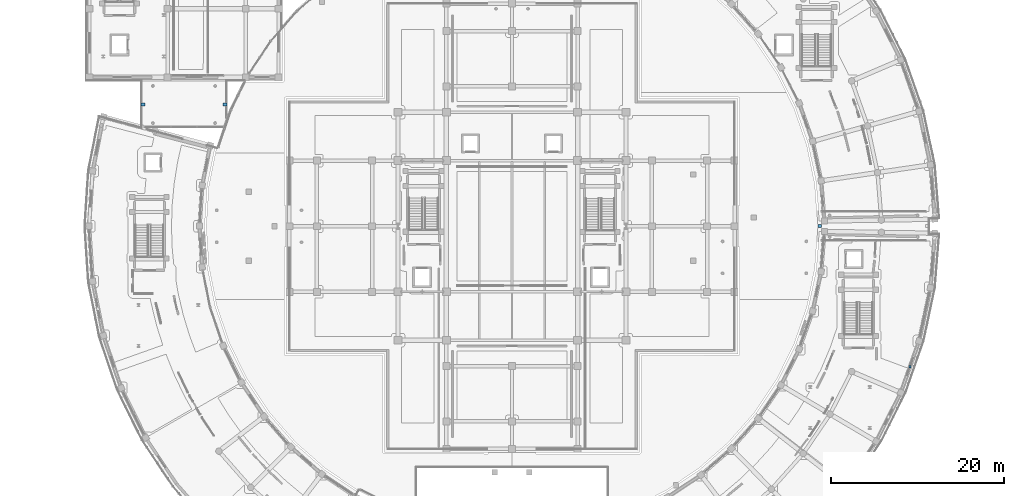
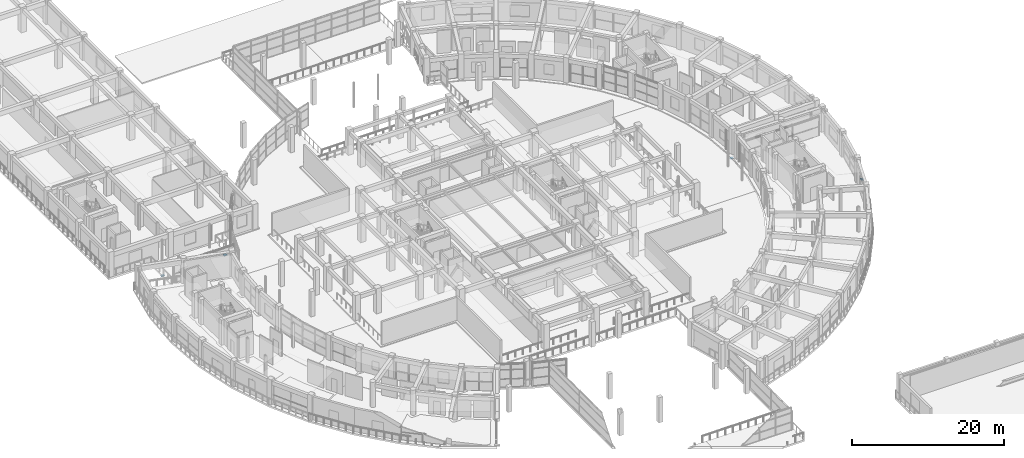
# One storey, part 68 of 87: 4 discrete accessories.
"""IFC4 building model written with IfcOpenShell, lengths in metres."""

from ifc_helpers import new_model, si_unit, direction, frame, origin, origin_2d, place, context, subcontext, project, spatial, rectangle, extrude, material, type_object, element, save


model = new_model("IFC4")

# Units and contexts
model_context = context("Model", 3, precision=1e-05, world=origin(), true_north=direction((0.0, 1.0)))
body_context = subcontext(model_context, "Body", "Model", "MODEL_VIEW")
ifc_project = project(units=[si_unit("LENGTHUNIT", "METRE"), si_unit("AREAUNIT", "SQUARE_METRE"), si_unit("VOLUMEUNIT", "CUBIC_METRE"), si_unit("PLANEANGLEUNIT", "RADIAN"), si_unit("MASSUNIT", "GRAM", prefix="KILO")], contexts=[model_context])

# Site, building, storey
site_placement = place(None, origin())
site = spatial("IfcSite", under=ifc_project, at=site_placement, CompositionType="ELEMENT")
building_placement = place(site_placement, origin())
building = spatial("IfcBuilding", under=site, at=building_placement, Name="Saryqyr Civic Hall", CompositionType="ELEMENT")
storey_placement = place(building_placement, frame((0.0, 0.0, 5.10009765625)))
storey = spatial("IfcBuildingStorey", under=building, at=storey_placement, Name="L01", CompositionType="ELEMENT", Elevation=5.10009765625)

# Discrete accessories
ifc_material_1 = material(Name="Painted galvanized steel", Category="steel")
discrete_accessory_type_1 = type_object("IfcDiscreteAccessoryType", Name="ENV-BRK-FIN", PredefinedType="BRACKET", material=ifc_material_1)
discrete_accessory_placement = place(storey_placement, frame((103.103759765625, 67.707763671875, 2.4599609375), z_axis=(0.0, 0.0, 1.0), x_axis=(1.0, 0.0, 0.0)))
element("IfcDiscreteAccessory", 1, at=discrete_accessory_placement, inside=storey, type_object=discrete_accessory_type_1, Name="Solar fin steel bracket V5-L01-07", PredefinedType="BRACKET", context=body_context, shape_type="SweptSolid", body=[
    extrude(rectangle(XDim=0.239990234375, YDim=0.300048828125, at=origin_2d()), origin(), (0.0, 0.0, 1.0), 0.159912109375),
])
ifc_material_2 = material(Name="Steel S355", Category="steel")
discrete_accessory_type_2 = type_object("IfcDiscreteAccessoryType", Name="STR-ACC-PTFE-BRG", PredefinedType="BRACKET", material=ifc_material_2)
for number, where, z_axis, x_axis, name in (
    (2, (92.64990234375, 84.0, -0.35986328125), (0.0, 0.0, 1.0), (1.0, 0.0, 0.0), "Unguided PTFE sliding bridge bearing BR-E L01 1"),
    (3, (14.25, 98.10009765625, -0.35986328125), (0.0, 0.0, 1.0), (1.0, 0.0, 0.0), "Unguided PTFE sliding bridge bearing BR-NW L01 1"),
    (4, (23.75, 98.10009765625, -0.35986328125), (0.0, 0.0, 1.0), (1.0, 0.0, 0.0), "Unguided PTFE sliding bridge bearing BR-NW L01 2"),
):
    element("IfcDiscreteAccessory", number, at=place(storey_placement, frame(where, z_axis=z_axis, x_axis=x_axis)), inside=storey, type_object=discrete_accessory_type_2, Name=name, PredefinedType="BRACKET", context=body_context, shape_type="SweptSolid", body=[
        extrude(rectangle(XDim=0.449951171875, YDim=0.35009765625, at=origin_2d()), origin(), (0.0, 0.0, 1.0), 0.139892578125),
    ])

save(model, "model.ifc")
